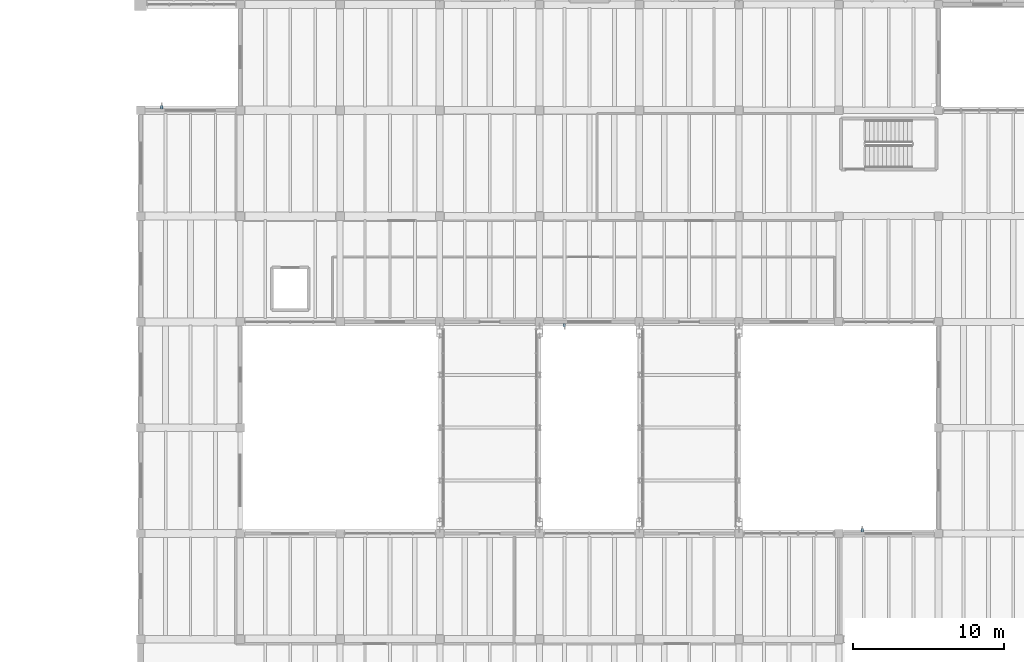
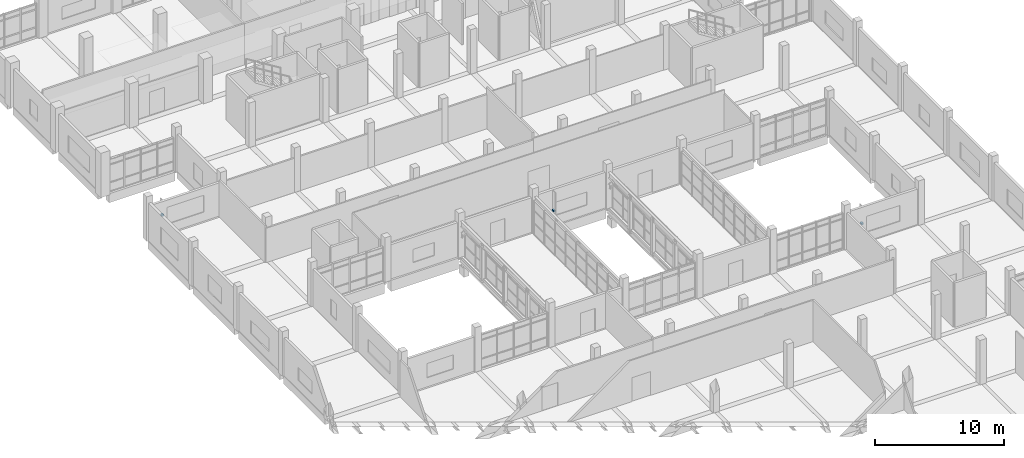
# One storey, part 58 of 67: 3 discrete accessories.
"""IFC4 building model written with IfcOpenShell, lengths in metres."""

import ifcopenshell
import ifcopenshell.guid

model = None  # the IFC model being written
_history = None  # IfcOwnerHistory: only IFC2X3 demands one
_inside = {}  # id of a spatial element -> (the spatial element, [elements in it])
_under = {}  # id of a project, library or spatial element -> (it, [spatial elements below it])
_declared = {}  # id of a project -> (the project, [libraries it declares])
_typed = {}  # id of a type object -> (the type object, [elements of that type])
_made_of = {}  # id of a material, layer set ... -> (it, [elements and type objects made of it])


def new_model(schema):
    """Start an empty IFC model of exactly this schema.

    Asked for "IFC4X3", IfcOpenShell would pick the latest addendum, in which some entities
    have other attributes; the version numbers below select the first issue.
    IFC2X3 requires an IfcOwnerHistory on every rooted entity: one is made here for all.
    """
    global model, _history
    if schema == "IFC4X3":
        model = ifcopenshell.file(schema_version=(4, 3, 0, 0))
    else:
        model = ifcopenshell.file(schema=schema)
    _inside.clear()
    _under.clear()
    _declared.clear()
    _typed.clear()
    _made_of.clear()
    _history = None
    if model.schema == "IFC2X3":
        org = make("IfcOrganization", Name="unknown")
        user = make(
            "IfcPersonAndOrganization",
            ThePerson=make("IfcPerson", FamilyName="unknown"),
            TheOrganization=org,
        )
        app = make(
            "IfcApplication",
            ApplicationDeveloper=org,
            Version="unknown",
            ApplicationFullName="unknown",
            ApplicationIdentifier="unknown",
        )
        _history = make(
            "IfcOwnerHistory",
            OwningUser=user,
            OwningApplication=app,
            ChangeAction="ADDED",
            CreationDate=0,
        )
    return model


def make(cls, **values):
    """One entity of the class cls with the attributes given. An attribute that is None is left unset."""
    return model.create_entity(
        cls, **{name: value for name, value in values.items() if value is not None}
    )


def rooted(cls, **values):
    """An entity with a GlobalId (a new one), such as an element, a storey or a relation."""
    return make(cls, GlobalId=ifcopenshell.guid.new(), OwnerHistory=_history, **values)


def si_unit(unit_type, name, prefix=None):
    """IfcSIUnit, for example si_unit("LENGTHUNIT", "METRE", prefix="MILLI")."""
    return make("IfcSIUnit", UnitType=unit_type, Prefix=prefix, Name=name)


def assignment(units):
    """IfcUnitAssignment: the units of a project."""
    return None if units is None else make("IfcUnitAssignment", Units=units)


def point(xyz):
    """IfcCartesianPoint."""
    return None if xyz is None else make("IfcCartesianPoint", Coordinates=xyz)


def direction(xyz):
    """IfcDirection."""
    return None if xyz is None else make("IfcDirection", DirectionRatios=xyz)


def frame(location, z_axis=None, x_axis=None):
    """IfcAxis2Placement3D, a coordinate frame: its origin and axes. An axis left out is left unset."""
    return make(
        "IfcAxis2Placement3D",
        Location=point(location),
        Axis=direction(z_axis),
        RefDirection=direction(x_axis),
    )


def frame_2d(location, x_axis=None):
    """IfcAxis2Placement2D, a coordinate frame in the plane: its origin and x axis."""
    return make(
        "IfcAxis2Placement2D", Location=point(location), RefDirection=direction(x_axis)
    )


def origin():
    """The frame at (0, 0, 0) with its axes left unset."""
    return frame((0.0, 0.0, 0.0))


def origin_2d():
    """The frame at (0, 0) in the plane with its x axis left unset."""
    return frame_2d((0.0, 0.0))


def place(relative_to, where):
    """IfcLocalPlacement: puts the frame where relative to a parent placement (None: the world)."""
    return make(
        "IfcLocalPlacement", PlacementRelTo=relative_to, RelativePlacement=where
    )


def context(
    kind, dimensions, precision=None, world=None, true_north=None, identifier=None
):
    """IfcGeometricRepresentationContext, for example the 3D "Model" context."""
    return make(
        "IfcGeometricRepresentationContext",
        ContextIdentifier=identifier,
        ContextType=kind,
        CoordinateSpaceDimension=dimensions,
        Precision=precision,
        WorldCoordinateSystem=world,
        TrueNorth=true_north,
    )


def subcontext(parent, identifier, kind, view, scale=None):
    """IfcGeometricRepresentationSubContext, for example "Body" below "Model"."""
    return make(
        "IfcGeometricRepresentationSubContext",
        ContextIdentifier=identifier,
        ContextType=kind,
        ParentContext=parent,
        TargetScale=scale,
        TargetView=view,
    )


def project(units=None, contexts=None):
    """IfcProject with its units and contexts."""
    return rooted(
        "IfcProject",
        Name="project",
        RepresentationContexts=contexts,
        UnitsInContext=assignment(units),
    )


def spatial(cls, under=None, at=None, **own):
    """A site, building, storey or space (cls), placed at a placement, below another one or the project."""
    s = rooted(cls, ObjectPlacement=at, **own)
    if under is not None:
        _under.setdefault(under.id(), (under, []))[1].append(s)
    return s


def profile(cls, at=None, kind="AREA", **sizes):
    """A parametric profile (cls). Its sizes go by their IFC names, for example OverallWidth=200.0."""
    return make(cls, ProfileType=kind, Position=at, **sizes)


def rectangle(**sizes):
    """IfcRectangleProfileDef."""
    return profile("IfcRectangleProfileDef", **sizes)


def extrude(swept, where, along, depth):
    """IfcExtrudedAreaSolid: the profile swept, set in the frame where, extruded along a direction by depth."""
    return make(
        "IfcExtrudedAreaSolid",
        SweptArea=swept,
        Position=where,
        ExtrudedDirection=direction(along),
        Depth=depth,
    )


def shape(context_of_items, identifier, shape_type, items):
    """IfcShapeRepresentation: the items that make up one representation, for example the "Body"."""
    return make(
        "IfcShapeRepresentation",
        ContextOfItems=context_of_items,
        RepresentationIdentifier=identifier,
        RepresentationType=shape_type,
        Items=items,
    )


def material(Name=None, Category=None):
    """IfcMaterial."""
    return make("IfcMaterial", Name=Name, Category=Category)


def made_of(thing, what):
    """Note that an element or type object is made of a material, layer set ...; save() writes the relation."""
    if what is not None:
        _made_of.setdefault(what.id(), (what, []))[1].append(thing)
    return thing


def type_object(cls, material=None, **own):
    """A type object (cls), such as IfcWallType, which elements share."""
    return made_of(rooted(cls, **own), material)


def element(
    cls,
    number,
    at=None,
    inside=None,
    cuts=None,
    type_object=None,
    material=None,
    context=None,
    identifier="Body",
    shape_type=None,
    held_by="IfcProductDefinitionShape",
    body=None,
    shapes=None,
    **own,
):
    """One element of the class cls, such as IfcWall. Its Tag is "e" and its number.

    at: its placement. inside: the storey or other place that contains it. cuts: it is an
    opening in that element (IfcRelVoidsElement). A single representation is given by context,
    identifier, shape_type and body (its items); several are given by shapes. held_by: the class
    of the entity that holds the representations. save() writes the other relations.
    """
    e = rooted(cls, Tag="e%d" % number, ObjectPlacement=at, **own)
    if body is not None:
        shapes = [shape(context, identifier, shape_type, body)]
    if shapes is not None:
        e.Representation = make(held_by, Representations=shapes)
    if inside is not None:
        _inside.setdefault(inside.id(), (inside, []))[1].append(e)
    if cuts is not None:
        rooted(
            "IfcRelVoidsElement", RelatingBuildingElement=cuts, RelatedOpeningElement=e
        )
    if type_object is not None:
        _typed.setdefault(type_object.id(), (type_object, []))[1].append(e)
    return made_of(e, material)


def aggregate(whole, parts):
    """IfcRelAggregates: a whole, such as a stair, and the parts it consists of."""
    return rooted("IfcRelAggregates", RelatingObject=whole, RelatedObjects=parts)


def save(model, path):
    """Write the relations noted so far, then the file.

    IfcRelAggregates (storeys below a building ...), IfcRelContainedInSpatialStructure (elements
    in a storey), IfcRelDefinesByType, IfcRelAssociatesMaterial and IfcRelDeclares: one each for
    every whole, place, type object, material and project.
    """
    for whole, parts in _under.values():
        aggregate(whole, parts)
    for where, things in _inside.values():
        rooted(
            "IfcRelContainedInSpatialStructure",
            RelatedElements=things,
            RelatingStructure=where,
        )
    for kind, things in _typed.values():
        rooted("IfcRelDefinesByType", RelatedObjects=things, RelatingType=kind)
    for what, things in _made_of.values():
        rooted("IfcRelAssociatesMaterial", RelatedObjects=things, RelatingMaterial=what)
    for by, libraries in _declared.values():
        rooted("IfcRelDeclares", RelatingContext=by, RelatedDefinitions=libraries)
    model.write(path)


model = new_model("IFC4")

# Units and contexts
model_context = context("Model", 3, precision=1e-05, world=origin(), true_north=direction((0.0, 1.0)))
body_context = subcontext(model_context, "Body", "Model", "MODEL_VIEW")
ifc_project = project(units=[si_unit("LENGTHUNIT", "METRE"), si_unit("AREAUNIT", "SQUARE_METRE"), si_unit("VOLUMEUNIT", "CUBIC_METRE"), si_unit("PLANEANGLEUNIT", "RADIAN"), si_unit("MASSUNIT", "GRAM", prefix="KILO")], contexts=[model_context])

# Site, building, storey
site_placement = place(None, origin())
site = spatial("IfcSite", under=ifc_project, at=site_placement, CompositionType="ELEMENT")
building_placement = place(site_placement, origin())
building = spatial("IfcBuilding", under=site, at=building_placement, Name="Ciguamira Faculty of Natural Sciences", CompositionType="ELEMENT")
storey_placement = place(building_placement, frame((0.0, 0.0, 8.39990234375)))
storey = spatial("IfcBuildingStorey", under=building, at=storey_placement, Name="L02", CompositionType="ELEMENT", Elevation=8.39990234375)

# Discrete accessories
ifc_material = material(Name="Stainless steel fixing bracket", Category="steel")
discrete_accessory_type = type_object("IfcDiscreteAccessoryType", Name="FacadeBracket_BK01", PredefinedType="BRACKET", material=ifc_material)
for number, where, z_axis, x_axis, name in (
    (1, (105.050048828125, 59.2099609375, 1.52001953125), (0.0, 0.0, 1.0), (1.0, 0.0, 0.0), "L02 sunshade fixing bracket 0020"),
    (2, (85.35009765625, 72.7900390625, 1.39501953125), (0.0, 0.0, 1.0), (1.0, 0.0, 0.0), "L02 sunshade fixing bracket 0021"),
    (3, (58.699951171875, 87.2099609375, 1.5703125), (0.0, 0.0, 1.0), (1.0, 0.0, 0.0), "L02 sunshade fixing bracket 0022"),
):
    element("IfcDiscreteAccessory", number, at=place(storey_placement, frame(where, z_axis=z_axis, x_axis=x_axis)), inside=storey, type_object=discrete_accessory_type, Name=name, PredefinedType="BRACKET", context=body_context, shape_type="SweptSolid", body=[
        extrude(rectangle(XDim=0.159912109375, YDim=0.239990234375, at=origin_2d()), origin(), (0.0, 0.0, 1.0), 0.159912109375),
    ])

save(model, "model.ifc")
